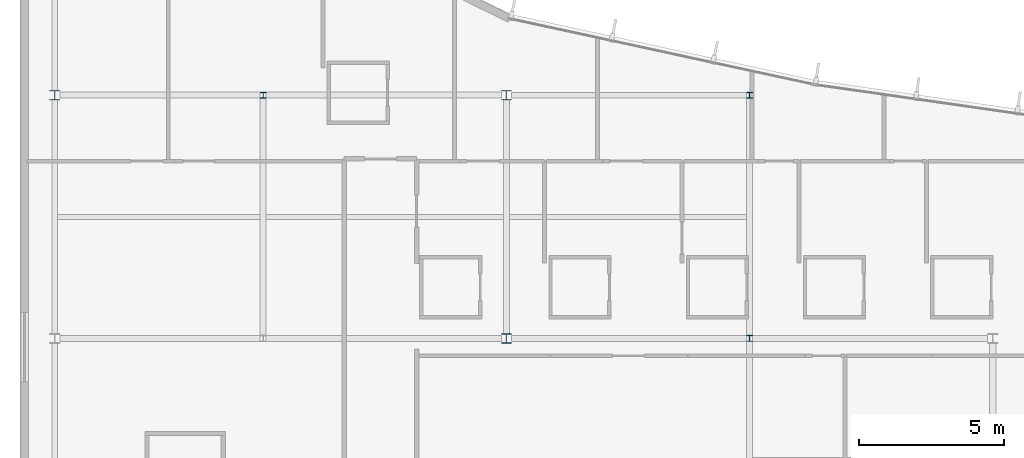
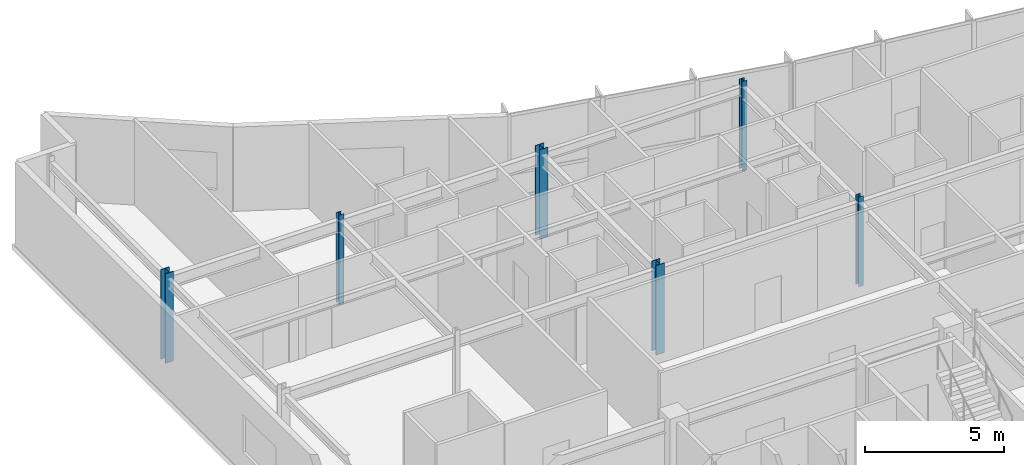
# One storey, part 2 of 16: 6 columns.
"""IFC4 building model written with IfcOpenShell, lengths in metres."""

from ifc_helpers import new_model, si_unit, direction, frame, origin, origin_2d, place, context, subcontext, project, spatial, i_section, extrude, material, material_profile, profile_set, type_object, element, save


model = new_model("IFC4")

# Units and contexts
model_context = context("Model", 3, precision=1e-05, world=origin(), true_north=direction((0.0, 1.0)))
body_context = subcontext(model_context, "Body", "Model", "MODEL_VIEW")
ifc_project = project(units=[si_unit("LENGTHUNIT", "METRE"), si_unit("AREAUNIT", "SQUARE_METRE"), si_unit("VOLUMEUNIT", "CUBIC_METRE"), si_unit("PLANEANGLEUNIT", "RADIAN"), si_unit("MASSUNIT", "GRAM", prefix="KILO")], contexts=[model_context])

# Site, building, storey
site_placement = place(None, origin())
site = spatial("IfcSite", under=ifc_project, at=site_placement, CompositionType="ELEMENT")
building_placement = place(site_placement, origin())
building = spatial("IfcBuilding", under=site, at=building_placement, Name="Varnakote Quay Hospital", CompositionType="ELEMENT")
storey_placement = place(building_placement, frame((0.0, 0.0, 292.10009765625)))
storey = spatial("IfcBuildingStorey", under=building, at=storey_placement, Name="L72", CompositionType="ELEMENT", Elevation=292.10009765625)

# Columns
ifc_material_1 = material(Name="Structural steel AS/NZS 3679.1 Grade 350 L0 (fy 340 MPa)", Category="steel")
ifc_material_profile_1 = material_profile(ifc_material_1, i_section(OverallWidth=0.205078125, OverallDepth=0.2099609375, WebThickness=0.00927734375, FlangeThickness=0.01416015625, FilletRadius=0.011474609375, at=origin_2d()), Name="200UC59.5")
ifc_profile_set_1 = profile_set([ifc_material_profile_1], Name="Structural steel AS/NZS 3679.1 Grade 350 L0 (fy 340 MPa)")
column_type_1 = type_object("IfcColumnType", Name="COL-STL-200UC59-5", PredefinedType="COLUMN", material=ifc_profile_set_1)
for number, where, z_axis, x_axis, name in (
    (1, (25.199951171875, 20.39990234375, 0.0), (0.0, 0.0, 1.0), (1.0, 0.0, 0.0), "L72 Structural Column C-25-20"),
    (2, (8.39990234375, 28.800048828125, 0.0), (0.0, 0.0, 1.0), (1.0, 0.0, 0.0), "L72 Structural Column C-8-29"),
    (3, (25.199951171875, 28.800048828125, 0.0), (0.0, 0.0, 1.0), (1.0, 0.0, 0.0), "L72 Structural Column C-25-29"),
):
    element("IfcColumn", number, at=place(storey_placement, frame(where, z_axis=z_axis, x_axis=x_axis)), inside=storey, type_object=column_type_1, Name=name, PredefinedType="COLUMN", context=body_context, shape_type="SweptSolid", body=[
        extrude(i_section(OverallWidth=0.205078125, OverallDepth=0.2099609375, WebThickness=0.00927734375, FlangeThickness=0.01416015625, FilletRadius=0.011474609375, at=origin_2d()), origin(), (0.0, 0.0, 1.0), 3.949951171875),
    ])
ifc_material_2 = material(Name="Structural steel AS/NZS 3678 Grade 350 (fy 340 MPa)", Category="steel")
ifc_material_profile_2 = material_profile(ifc_material_2, i_section(OverallWidth=0.35009765625, OverallDepth=0.340087890625, WebThickness=0.01611328125, FlangeThickness=0.028076171875, at=origin_2d()), Name="350WC197")
ifc_profile_set_2 = profile_set([ifc_material_profile_2], Name="Structural steel AS/NZS 3678 Grade 350 (fy 340 MPa)")
column_type_2 = type_object("IfcColumnType", Name="COL-STL-350WC197", PredefinedType="COLUMN", material=ifc_profile_set_2)
for number, where, z_axis, x_axis, name in (
    (4, (16.800048828125, 20.39990234375, 0.0), (0.0, 0.0, 1.0), (1.0, 0.0, 0.0), "L72 Structural Column C-17-20"),
    (5, (1.199951171875, 28.800048828125, 0.0), (0.0, 0.0, 1.0), (1.0, 0.0, 0.0), "L72 Structural Column C-1-29"),
    (6, (16.800048828125, 28.800048828125, 0.0), (0.0, 0.0, 1.0), (1.0, 0.0, 0.0), "L72 Structural Column C-17-29"),
):
    element("IfcColumn", number, at=place(storey_placement, frame(where, z_axis=z_axis, x_axis=x_axis)), inside=storey, type_object=column_type_2, Name=name, PredefinedType="COLUMN", context=body_context, shape_type="SweptSolid", body=[
        extrude(i_section(OverallWidth=0.35009765625, OverallDepth=0.340087890625, WebThickness=0.01611328125, FlangeThickness=0.028076171875, at=origin_2d()), origin(), (0.0, 0.0, 1.0), 3.949951171875),
    ])

save(model, "model.ifc")
